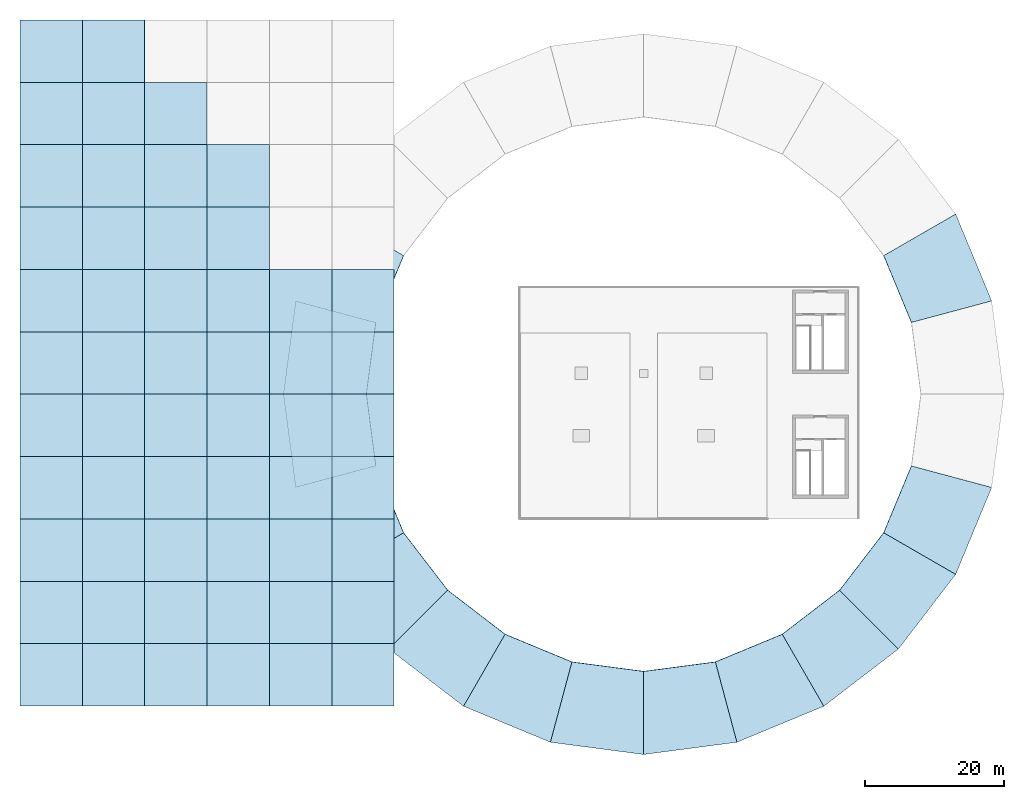
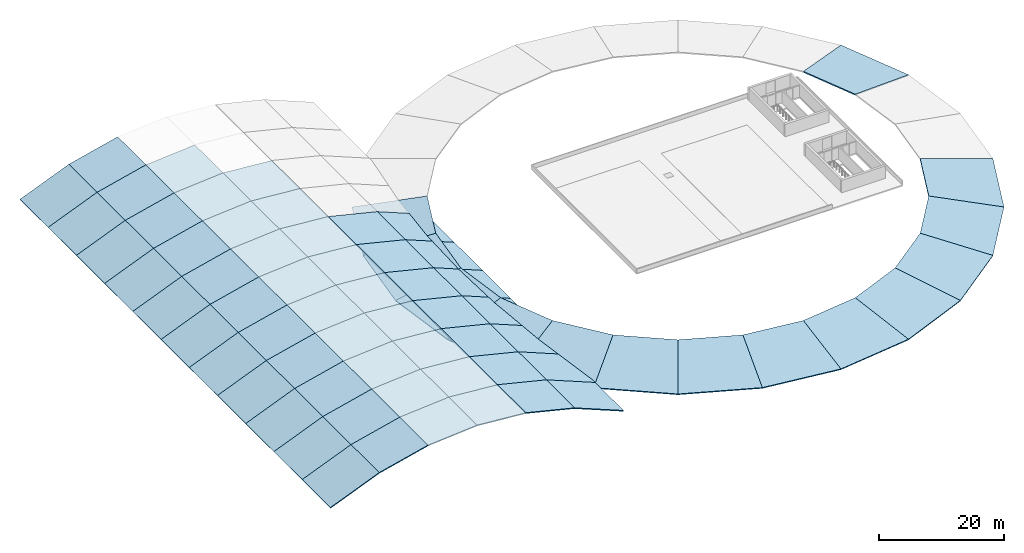
# One storey, part 2 of 4: 69 roofs.
"""IFC4 building model written with IfcOpenShell, lengths in metres."""

from ifc_helpers import new_model, si_unit, direction, frame, origin, place, context, subcontext, project, spatial, polyline, outline, extrude, material, layer, layer_set, type_object, element, save


model = new_model("IFC4")

# Units and contexts
model_context = context("Model", 3, precision=1e-05, world=origin(), true_north=direction((0.0, 1.0)))
body_context = subcontext(model_context, "Body", "Model", "MODEL_VIEW")
ifc_project = project(units=[si_unit("LENGTHUNIT", "METRE"), si_unit("AREAUNIT", "SQUARE_METRE"), si_unit("VOLUMEUNIT", "CUBIC_METRE"), si_unit("PLANEANGLEUNIT", "RADIAN"), si_unit("MASSUNIT", "GRAM", prefix="KILO")], contexts=[model_context])

# Site, building, storey
site_placement = place(None, origin())
site = spatial("IfcSite", under=ifc_project, at=site_placement, CompositionType="ELEMENT")
building_placement = place(site_placement, origin())
building = spatial("IfcBuilding", under=site, at=building_placement, Name="Dornveld Trade and Exhibition Forum", CompositionType="ELEMENT")
storey_placement = place(building_placement, frame((0.0, 0.0, 26.39990234375)))
storey = spatial("IfcBuildingStorey", under=building, at=storey_placement, Name="RF", CompositionType="ELEMENT", Elevation=26.39990234375)

# Roofs
ifc_material_1 = material(Name="Steel S355J2", Category="steel")
ifc_layer_1 = layer(ifc_material_1, 0.179931640625)
ifc_layer_set_1 = layer_set([ifc_layer_1], Name="Steel S355J2")
roof_type_1 = type_object("IfcRoofType", Name="RF-ARCH-HALL3", PredefinedType="BARREL_ROOF", material=ifc_layer_set_1)
roof_1_placement = place(storey_placement, frame((27.0, 36.0, -4.079833984375), z_axis=(-0.377304069177, 0.0, 0.926089433793), x_axis=(0.926089433793, 0.0, 0.377304069177)))
element("IfcRoof", 1, at=roof_1_placement, inside=storey, type_object=roof_type_1, Name="H3 arched roof bay 1 facet 1", PredefinedType="BARREL_ROOF", context=body_context, shape_type="SweptSolid", body=[
    extrude(outline(polyline([(0.0, 0.0), (9.718283862867025, 0.0), (9.718283862867025, 9.0), (0.0, 9.0), (0.0, 0.0)])), origin(), (0.0, 0.0, -1.0), 0.179931640625),
])
roof_2_placement = place(storey_placement, frame((36.0, 36.0, -0.4130859375), z_axis=(-0.237448117444, 0.0, 0.971400222114), x_axis=(0.971400222114, 0.0, 0.237448117444)))
element("IfcRoof", 2, at=roof_2_placement, inside=storey, type_object=roof_type_1, Name="H3 arched roof bay 1 facet 2", PredefinedType="BARREL_ROOF", context=body_context, shape_type="SweptSolid", body=[
    extrude(outline(polyline([(0.0, 0.0), (9.264976263252604, 0.0), (9.264976263252604, 9.0), (0.0, 9.0), (0.0, 0.0)])), origin(), (0.0, 0.0, -1.0), 0.179931640625),
])
for number, where, z_axis, x_axis, name in (
    (3, (45.0, 36.0, 1.786865234375), (-0.081192637213, 0.0, 0.996698427641), (0.996698427641, 0.0, 0.081192637213), "H3 arched roof bay 1 facet 3"),
    (4, (54.0, 36.0, 2.52001953125), (0.081192637213, 0.0, 0.996698427641), (0.996698427641, 0.0, -0.081192637213), "H3 arched roof bay 1 facet 4"),
):
    element("IfcRoof", number, at=place(storey_placement, frame(where, z_axis=z_axis, x_axis=x_axis)), inside=storey, type_object=roof_type_1, Name=name, PredefinedType="BARREL_ROOF", context=body_context, shape_type="SweptSolid", body=[
        extrude(outline(polyline([(0.0, 0.0), (9.029812579617934, 0.0), (9.029812579617934, 9.0), (0.0, 9.0), (0.0, 0.0)])), origin(), (0.0, 0.0, -1.0), 0.179931640625),
    ])
roof_3_placement = place(storey_placement, frame((63.0, 36.0, 1.786865234375), z_axis=(0.237448117444, 0.0, 0.971400222114), x_axis=(0.971400222114, 0.0, -0.237448117444)))
element("IfcRoof", 5, at=roof_3_placement, inside=storey, type_object=roof_type_1, Name="H3 arched roof bay 1 facet 5", PredefinedType="BARREL_ROOF", context=body_context, shape_type="SweptSolid", body=[
    extrude(outline(polyline([(0.0, 0.0), (9.264976263252604, 0.0), (9.264976263252604, 9.0), (0.0, 9.0), (0.0, 0.0)])), origin(), (0.0, 0.0, -1.0), 0.179931640625),
])
for number, where, z_axis, x_axis, name in (
    (6, (72.0, 36.0, -0.4130859375), (0.377304069177, 0.0, 0.926089433793), (0.926089433793, 0.0, -0.377304069177), "H3 arched roof bay 1 facet 6"),
    (7, (27.0, 45.0, -4.079833984375), (-0.377304069177, 0.0, 0.926089433793), (0.926089433793, 0.0, 0.377304069177), "H3 arched roof bay 2 facet 1"),
):
    element("IfcRoof", number, at=place(storey_placement, frame(where, z_axis=z_axis, x_axis=x_axis)), inside=storey, type_object=roof_type_1, Name=name, PredefinedType="BARREL_ROOF", context=body_context, shape_type="SweptSolid", body=[
        extrude(outline(polyline([(0.0, 0.0), (9.718283862867025, 0.0), (9.718283862867025, 9.0), (0.0, 9.0), (0.0, 0.0)])), origin(), (0.0, 0.0, -1.0), 0.179931640625),
    ])
roof_4_placement = place(storey_placement, frame((36.0, 45.0, -0.4130859375), z_axis=(-0.237448117444, 0.0, 0.971400222114), x_axis=(0.971400222114, 0.0, 0.237448117444)))
element("IfcRoof", 8, at=roof_4_placement, inside=storey, type_object=roof_type_1, Name="H3 arched roof bay 2 facet 2", PredefinedType="BARREL_ROOF", context=body_context, shape_type="SweptSolid", body=[
    extrude(outline(polyline([(0.0, 0.0), (9.264976263252604, 0.0), (9.264976263252604, 9.0), (0.0, 9.0), (0.0, 0.0)])), origin(), (0.0, 0.0, -1.0), 0.179931640625),
])
for number, where, z_axis, x_axis, name in (
    (9, (45.0, 45.0, 1.786865234375), (-0.081192637213, 0.0, 0.996698427641), (0.996698427641, 0.0, 0.081192637213), "H3 arched roof bay 2 facet 3"),
    (10, (54.0, 45.0, 2.52001953125), (0.081192637213, 0.0, 0.996698427641), (0.996698427641, 0.0, -0.081192637213), "H3 arched roof bay 2 facet 4"),
):
    element("IfcRoof", number, at=place(storey_placement, frame(where, z_axis=z_axis, x_axis=x_axis)), inside=storey, type_object=roof_type_1, Name=name, PredefinedType="BARREL_ROOF", context=body_context, shape_type="SweptSolid", body=[
        extrude(outline(polyline([(0.0, 0.0), (9.029812579617934, 0.0), (9.029812579617934, 9.0), (0.0, 9.0), (0.0, 0.0)])), origin(), (0.0, 0.0, -1.0), 0.179931640625),
    ])
roof_5_placement = place(storey_placement, frame((63.0, 45.0, 1.786865234375), z_axis=(0.237448117444, 0.0, 0.971400222114), x_axis=(0.971400222114, 0.0, -0.237448117444)))
element("IfcRoof", 11, at=roof_5_placement, inside=storey, type_object=roof_type_1, Name="H3 arched roof bay 2 facet 5", PredefinedType="BARREL_ROOF", context=body_context, shape_type="SweptSolid", body=[
    extrude(outline(polyline([(0.0, 0.0), (9.264976263252604, 0.0), (9.264976263252604, 9.0), (0.0, 9.0), (0.0, 0.0)])), origin(), (0.0, 0.0, -1.0), 0.179931640625),
])
for number, where, z_axis, x_axis, name in (
    (12, (72.0, 45.0, -0.4130859375), (0.377304069177, 0.0, 0.926089433793), (0.926089433793, 0.0, -0.377304069177), "H3 arched roof bay 2 facet 6"),
    (13, (27.0, 54.0, -4.079833984375), (-0.377304069177, 0.0, 0.926089433793), (0.926089433793, 0.0, 0.377304069177), "H3 arched roof bay 3 facet 1"),
):
    element("IfcRoof", number, at=place(storey_placement, frame(where, z_axis=z_axis, x_axis=x_axis)), inside=storey, type_object=roof_type_1, Name=name, PredefinedType="BARREL_ROOF", context=body_context, shape_type="SweptSolid", body=[
        extrude(outline(polyline([(0.0, 0.0), (9.718283862867025, 0.0), (9.718283862867025, 9.0), (0.0, 9.0), (0.0, 0.0)])), origin(), (0.0, 0.0, -1.0), 0.179931640625),
    ])
roof_6_placement = place(storey_placement, frame((36.0, 54.0, -0.4130859375), z_axis=(-0.237448117444, 0.0, 0.971400222114), x_axis=(0.971400222114, 0.0, 0.237448117444)))
element("IfcRoof", 14, at=roof_6_placement, inside=storey, type_object=roof_type_1, Name="H3 arched roof bay 3 facet 2", PredefinedType="BARREL_ROOF", context=body_context, shape_type="SweptSolid", body=[
    extrude(outline(polyline([(0.0, 0.0), (9.264976263252604, 0.0), (9.264976263252604, 9.0), (0.0, 9.0), (0.0, 0.0)])), origin(), (0.0, 0.0, -1.0), 0.179931640625),
])
for number, where, z_axis, x_axis, name in (
    (15, (45.0, 54.0, 1.786865234375), (-0.081192637213, 0.0, 0.996698427641), (0.996698427641, 0.0, 0.081192637213), "H3 arched roof bay 3 facet 3"),
    (16, (54.0, 54.0, 2.52001953125), (0.081192637213, 0.0, 0.996698427641), (0.996698427641, 0.0, -0.081192637213), "H3 arched roof bay 3 facet 4"),
):
    element("IfcRoof", number, at=place(storey_placement, frame(where, z_axis=z_axis, x_axis=x_axis)), inside=storey, type_object=roof_type_1, Name=name, PredefinedType="BARREL_ROOF", context=body_context, shape_type="SweptSolid", body=[
        extrude(outline(polyline([(0.0, 0.0), (9.029812579617934, 0.0), (9.029812579617934, 9.0), (0.0, 9.0), (0.0, 0.0)])), origin(), (0.0, 0.0, -1.0), 0.179931640625),
    ])
roof_7_placement = place(storey_placement, frame((63.0, 54.0, 1.786865234375), z_axis=(0.237448117444, 0.0, 0.971400222114), x_axis=(0.971400222114, 0.0, -0.237448117444)))
element("IfcRoof", 17, at=roof_7_placement, inside=storey, type_object=roof_type_1, Name="H3 arched roof bay 3 facet 5", PredefinedType="BARREL_ROOF", context=body_context, shape_type="SweptSolid", body=[
    extrude(outline(polyline([(0.0, 0.0), (9.264976263252604, 0.0), (9.264976263252604, 9.0), (0.0, 9.0), (0.0, 0.0)])), origin(), (0.0, 0.0, -1.0), 0.179931640625),
])
for number, where, z_axis, x_axis, name in (
    (18, (72.0, 54.0, -0.4130859375), (0.377304069177, 0.0, 0.926089433793), (0.926089433793, 0.0, -0.377304069177), "H3 arched roof bay 3 facet 6"),
    (19, (27.0, 63.0, -4.079833984375), (-0.377304069177, 0.0, 0.926089433793), (0.926089433793, 0.0, 0.377304069177), "H3 arched roof bay 4 facet 1"),
):
    element("IfcRoof", number, at=place(storey_placement, frame(where, z_axis=z_axis, x_axis=x_axis)), inside=storey, type_object=roof_type_1, Name=name, PredefinedType="BARREL_ROOF", context=body_context, shape_type="SweptSolid", body=[
        extrude(outline(polyline([(0.0, 0.0), (9.718283862867025, 0.0), (9.718283862867025, 9.0), (0.0, 9.0), (0.0, 0.0)])), origin(), (0.0, 0.0, -1.0), 0.179931640625),
    ])
roof_8_placement = place(storey_placement, frame((36.0, 63.0, -0.4130859375), z_axis=(-0.237448117444, 0.0, 0.971400222114), x_axis=(0.971400222114, 0.0, 0.237448117444)))
element("IfcRoof", 20, at=roof_8_placement, inside=storey, type_object=roof_type_1, Name="H3 arched roof bay 4 facet 2", PredefinedType="BARREL_ROOF", context=body_context, shape_type="SweptSolid", body=[
    extrude(outline(polyline([(0.0, 0.0), (9.264976263252604, 0.0), (9.264976263252604, 9.0), (0.0, 9.0), (0.0, 0.0)])), origin(), (0.0, 0.0, -1.0), 0.179931640625),
])
for number, where, z_axis, x_axis, name in (
    (21, (45.0, 63.0, 1.786865234375), (-0.081192637213, 0.0, 0.996698427641), (0.996698427641, 0.0, 0.081192637213), "H3 arched roof bay 4 facet 3"),
    (22, (54.0, 63.0, 2.52001953125), (0.081192637213, 0.0, 0.996698427641), (0.996698427641, 0.0, -0.081192637213), "H3 arched roof bay 4 facet 4"),
):
    element("IfcRoof", number, at=place(storey_placement, frame(where, z_axis=z_axis, x_axis=x_axis)), inside=storey, type_object=roof_type_1, Name=name, PredefinedType="BARREL_ROOF", context=body_context, shape_type="SweptSolid", body=[
        extrude(outline(polyline([(0.0, 0.0), (9.029812579617934, 0.0), (9.029812579617934, 9.0), (0.0, 9.0), (0.0, 0.0)])), origin(), (0.0, 0.0, -1.0), 0.179931640625),
    ])
roof_9_placement = place(storey_placement, frame((63.0, 63.0, 1.786865234375), z_axis=(0.237448117444, 0.0, 0.971400222114), x_axis=(0.971400222114, 0.0, -0.237448117444)))
element("IfcRoof", 23, at=roof_9_placement, inside=storey, type_object=roof_type_1, Name="H3 arched roof bay 4 facet 5", PredefinedType="BARREL_ROOF", context=body_context, shape_type="SweptSolid", body=[
    extrude(outline(polyline([(0.0, 0.0), (9.264976263252604, 0.0), (9.264976263252604, 9.0), (0.0, 9.0), (0.0, 0.0)])), origin(), (0.0, 0.0, -1.0), 0.179931640625),
])
for number, where, z_axis, x_axis, name in (
    (24, (72.0, 63.0, -0.4130859375), (0.377304069177, 0.0, 0.926089433793), (0.926089433793, 0.0, -0.377304069177), "H3 arched roof bay 4 facet 6"),
    (25, (27.0, 72.0, -4.079833984375), (-0.377304069177, 0.0, 0.926089433793), (0.926089433793, 0.0, 0.377304069177), "H3 arched roof bay 5 facet 1"),
):
    element("IfcRoof", number, at=place(storey_placement, frame(where, z_axis=z_axis, x_axis=x_axis)), inside=storey, type_object=roof_type_1, Name=name, PredefinedType="BARREL_ROOF", context=body_context, shape_type="SweptSolid", body=[
        extrude(outline(polyline([(0.0, 0.0), (9.718283862867025, 0.0), (9.718283862867025, 9.0), (0.0, 9.0), (0.0, 0.0)])), origin(), (0.0, 0.0, -1.0), 0.179931640625),
    ])
roof_10_placement = place(storey_placement, frame((36.0, 72.0, -0.4130859375), z_axis=(-0.237448117444, 0.0, 0.971400222114), x_axis=(0.971400222114, 0.0, 0.237448117444)))
element("IfcRoof", 26, at=roof_10_placement, inside=storey, type_object=roof_type_1, Name="H3 arched roof bay 5 facet 2", PredefinedType="BARREL_ROOF", context=body_context, shape_type="SweptSolid", body=[
    extrude(outline(polyline([(0.0, 0.0), (9.264976263252604, 0.0), (9.264976263252604, 9.0), (0.0, 9.0), (0.0, 0.0)])), origin(), (0.0, 0.0, -1.0), 0.179931640625),
])
for number, where, z_axis, x_axis, name in (
    (27, (45.0, 72.0, 1.786865234375), (-0.081192637213, 0.0, 0.996698427641), (0.996698427641, 0.0, 0.081192637213), "H3 arched roof bay 5 facet 3"),
    (28, (54.0, 72.0, 2.52001953125), (0.081192637213, 0.0, 0.996698427641), (0.996698427641, 0.0, -0.081192637213), "H3 arched roof bay 5 facet 4"),
):
    element("IfcRoof", number, at=place(storey_placement, frame(where, z_axis=z_axis, x_axis=x_axis)), inside=storey, type_object=roof_type_1, Name=name, PredefinedType="BARREL_ROOF", context=body_context, shape_type="SweptSolid", body=[
        extrude(outline(polyline([(0.0, 0.0), (9.029812579617934, 0.0), (9.029812579617934, 9.0), (0.0, 9.0), (0.0, 0.0)])), origin(), (0.0, 0.0, -1.0), 0.179931640625),
    ])
roof_11_placement = place(storey_placement, frame((63.0, 72.0, 1.786865234375), z_axis=(0.237448117444, 0.0, 0.971400222114), x_axis=(0.971400222114, 0.0, -0.237448117444)))
element("IfcRoof", 29, at=roof_11_placement, inside=storey, type_object=roof_type_1, Name="H3 arched roof bay 5 facet 5", PredefinedType="BARREL_ROOF", context=body_context, shape_type="SweptSolid", body=[
    extrude(outline(polyline([(0.0, 0.0), (9.264976263252604, 0.0), (9.264976263252604, 9.0), (0.0, 9.0), (0.0, 0.0)])), origin(), (0.0, 0.0, -1.0), 0.179931640625),
])
for number, where, z_axis, x_axis, name in (
    (30, (72.0, 72.0, -0.4130859375), (0.377304069177, 0.0, 0.926089433793), (0.926089433793, 0.0, -0.377304069177), "H3 arched roof bay 5 facet 6"),
    (31, (27.0, 81.0, -4.079833984375), (-0.377304069177, 0.0, 0.926089433793), (0.926089433793, 0.0, 0.377304069177), "H3 arched roof bay 6 facet 1"),
):
    element("IfcRoof", number, at=place(storey_placement, frame(where, z_axis=z_axis, x_axis=x_axis)), inside=storey, type_object=roof_type_1, Name=name, PredefinedType="BARREL_ROOF", context=body_context, shape_type="SweptSolid", body=[
        extrude(outline(polyline([(0.0, 0.0), (9.718283862867025, 0.0), (9.718283862867025, 9.0), (0.0, 9.0), (0.0, 0.0)])), origin(), (0.0, 0.0, -1.0), 0.179931640625),
    ])
roof_12_placement = place(storey_placement, frame((36.0, 81.0, -0.4130859375), z_axis=(-0.237448117444, 0.0, 0.971400222114), x_axis=(0.971400222114, 0.0, 0.237448117444)))
element("IfcRoof", 32, at=roof_12_placement, inside=storey, type_object=roof_type_1, Name="H3 arched roof bay 6 facet 2", PredefinedType="BARREL_ROOF", context=body_context, shape_type="SweptSolid", body=[
    extrude(outline(polyline([(0.0, 0.0), (9.264976263252604, 0.0), (9.264976263252604, 9.0), (0.0, 9.0), (0.0, 0.0)])), origin(), (0.0, 0.0, -1.0), 0.179931640625),
])
for number, where, z_axis, x_axis, name in (
    (33, (45.0, 81.0, 1.786865234375), (-0.081192637213, 0.0, 0.996698427641), (0.996698427641, 0.0, 0.081192637213), "H3 arched roof bay 6 facet 3"),
    (34, (54.0, 81.0, 2.52001953125), (0.081192637213, 0.0, 0.996698427641), (0.996698427641, 0.0, -0.081192637213), "H3 arched roof bay 6 facet 4"),
):
    element("IfcRoof", number, at=place(storey_placement, frame(where, z_axis=z_axis, x_axis=x_axis)), inside=storey, type_object=roof_type_1, Name=name, PredefinedType="BARREL_ROOF", context=body_context, shape_type="SweptSolid", body=[
        extrude(outline(polyline([(0.0, 0.0), (9.029812579617934, 0.0), (9.029812579617934, 9.0), (0.0, 9.0), (0.0, 0.0)])), origin(), (0.0, 0.0, -1.0), 0.179931640625),
    ])
roof_13_placement = place(storey_placement, frame((63.0, 81.0, 1.786865234375), z_axis=(0.237448117444, 0.0, 0.971400222114), x_axis=(0.971400222114, 0.0, -0.237448117444)))
element("IfcRoof", 35, at=roof_13_placement, inside=storey, type_object=roof_type_1, Name="H3 arched roof bay 6 facet 5", PredefinedType="BARREL_ROOF", context=body_context, shape_type="SweptSolid", body=[
    extrude(outline(polyline([(0.0, 0.0), (9.264976263252604, 0.0), (9.264976263252604, 9.0), (0.0, 9.0), (0.0, 0.0)])), origin(), (0.0, 0.0, -1.0), 0.179931640625),
])
for number, where, z_axis, x_axis, name in (
    (36, (72.0, 81.0, -0.4130859375), (0.377304069177, 0.0, 0.926089433793), (0.926089433793, 0.0, -0.377304069177), "H3 arched roof bay 6 facet 6"),
    (37, (27.0, 90.0, -4.079833984375), (-0.377304069177, 0.0, 0.926089433793), (0.926089433793, 0.0, 0.377304069177), "H3 arched roof bay 7 facet 1"),
):
    element("IfcRoof", number, at=place(storey_placement, frame(where, z_axis=z_axis, x_axis=x_axis)), inside=storey, type_object=roof_type_1, Name=name, PredefinedType="BARREL_ROOF", context=body_context, shape_type="SweptSolid", body=[
        extrude(outline(polyline([(0.0, 0.0), (9.718283862867025, 0.0), (9.718283862867025, 9.0), (0.0, 9.0), (0.0, 0.0)])), origin(), (0.0, 0.0, -1.0), 0.179931640625),
    ])
roof_14_placement = place(storey_placement, frame((36.0, 90.0, -0.4130859375), z_axis=(-0.237448117444, 0.0, 0.971400222114), x_axis=(0.971400222114, 0.0, 0.237448117444)))
element("IfcRoof", 38, at=roof_14_placement, inside=storey, type_object=roof_type_1, Name="H3 arched roof bay 7 facet 2", PredefinedType="BARREL_ROOF", context=body_context, shape_type="SweptSolid", body=[
    extrude(outline(polyline([(0.0, 0.0), (9.264976263252604, 0.0), (9.264976263252604, 9.0), (0.0, 9.0), (0.0, 0.0)])), origin(), (0.0, 0.0, -1.0), 0.179931640625),
])
for number, where, z_axis, x_axis, name in (
    (39, (45.0, 90.0, 1.786865234375), (-0.081192637213, 0.0, 0.996698427641), (0.996698427641, 0.0, 0.081192637213), "H3 arched roof bay 7 facet 3"),
    (40, (54.0, 90.0, 2.52001953125), (0.081192637213, 0.0, 0.996698427641), (0.996698427641, 0.0, -0.081192637213), "H3 arched roof bay 7 facet 4"),
):
    element("IfcRoof", number, at=place(storey_placement, frame(where, z_axis=z_axis, x_axis=x_axis)), inside=storey, type_object=roof_type_1, Name=name, PredefinedType="BARREL_ROOF", context=body_context, shape_type="SweptSolid", body=[
        extrude(outline(polyline([(0.0, 0.0), (9.029812579617934, 0.0), (9.029812579617934, 9.0), (0.0, 9.0), (0.0, 0.0)])), origin(), (0.0, 0.0, -1.0), 0.179931640625),
    ])
roof_15_placement = place(storey_placement, frame((63.0, 90.0, 1.786865234375), z_axis=(0.237448117444, 0.0, 0.971400222114), x_axis=(0.971400222114, 0.0, -0.237448117444)))
element("IfcRoof", 41, at=roof_15_placement, inside=storey, type_object=roof_type_1, Name="H3 arched roof bay 7 facet 5", PredefinedType="BARREL_ROOF", context=body_context, shape_type="SweptSolid", body=[
    extrude(outline(polyline([(0.0, 0.0), (9.264976263252604, 0.0), (9.264976263252604, 9.0), (0.0, 9.0), (0.0, 0.0)])), origin(), (0.0, 0.0, -1.0), 0.179931640625),
])
for number, where, z_axis, x_axis, name in (
    (42, (72.0, 90.0, -0.4130859375), (0.377304069177, 0.0, 0.926089433793), (0.926089433793, 0.0, -0.377304069177), "H3 arched roof bay 7 facet 6"),
    (43, (27.0, 99.0, -4.079833984375), (-0.377304069177, 0.0, 0.926089433793), (0.926089433793, 0.0, 0.377304069177), "H3 arched roof bay 8 facet 1"),
):
    element("IfcRoof", number, at=place(storey_placement, frame(where, z_axis=z_axis, x_axis=x_axis)), inside=storey, type_object=roof_type_1, Name=name, PredefinedType="BARREL_ROOF", context=body_context, shape_type="SweptSolid", body=[
        extrude(outline(polyline([(0.0, 0.0), (9.718283862867025, 0.0), (9.718283862867025, 9.0), (0.0, 9.0), (0.0, 0.0)])), origin(), (0.0, 0.0, -1.0), 0.179931640625),
    ])
roof_16_placement = place(storey_placement, frame((36.0, 99.0, -0.4130859375), z_axis=(-0.237448117444, 0.0, 0.971400222114), x_axis=(0.971400222114, 0.0, 0.237448117444)))
element("IfcRoof", 44, at=roof_16_placement, inside=storey, type_object=roof_type_1, Name="H3 arched roof bay 8 facet 2", PredefinedType="BARREL_ROOF", context=body_context, shape_type="SweptSolid", body=[
    extrude(outline(polyline([(0.0, 0.0), (9.264976263252604, 0.0), (9.264976263252604, 9.0), (0.0, 9.0), (0.0, 0.0)])), origin(), (0.0, 0.0, -1.0), 0.179931640625),
])
for number, where, z_axis, x_axis, name in (
    (45, (45.0, 99.0, 1.786865234375), (-0.081192637213, 0.0, 0.996698427641), (0.996698427641, 0.0, 0.081192637213), "H3 arched roof bay 8 facet 3"),
    (46, (54.0, 99.0, 2.52001953125), (0.081192637213, 0.0, 0.996698427641), (0.996698427641, 0.0, -0.081192637213), "H3 arched roof bay 8 facet 4"),
):
    element("IfcRoof", number, at=place(storey_placement, frame(where, z_axis=z_axis, x_axis=x_axis)), inside=storey, type_object=roof_type_1, Name=name, PredefinedType="BARREL_ROOF", context=body_context, shape_type="SweptSolid", body=[
        extrude(outline(polyline([(0.0, 0.0), (9.029812579617934, 0.0), (9.029812579617934, 9.0), (0.0, 9.0), (0.0, 0.0)])), origin(), (0.0, 0.0, -1.0), 0.179931640625),
    ])
roof_17_placement = place(storey_placement, frame((27.0, 108.0, -4.079833984375), z_axis=(-0.377304069177, 0.0, 0.926089433793), x_axis=(0.926089433793, 0.0, 0.377304069177)))
element("IfcRoof", 47, at=roof_17_placement, inside=storey, type_object=roof_type_1, Name="H3 arched roof bay 9 facet 1", PredefinedType="BARREL_ROOF", context=body_context, shape_type="SweptSolid", body=[
    extrude(outline(polyline([(0.0, 0.0), (9.718283862867025, 0.0), (9.718283862867025, 9.0), (0.0, 9.0), (0.0, 0.0)])), origin(), (0.0, 0.0, -1.0), 0.179931640625),
])
roof_18_placement = place(storey_placement, frame((36.0, 108.0, -0.4130859375), z_axis=(-0.237448117444, 0.0, 0.971400222114), x_axis=(0.971400222114, 0.0, 0.237448117444)))
element("IfcRoof", 48, at=roof_18_placement, inside=storey, type_object=roof_type_1, Name="H3 arched roof bay 9 facet 2", PredefinedType="BARREL_ROOF", context=body_context, shape_type="SweptSolid", body=[
    extrude(outline(polyline([(0.0, 0.0), (9.264976263252604, 0.0), (9.264976263252604, 9.0), (0.0, 9.0), (0.0, 0.0)])), origin(), (0.0, 0.0, -1.0), 0.179931640625),
])
for number, where, z_axis, x_axis, name in (
    (49, (45.0, 108.0, 1.786865234375), (-0.081192637213, 0.0, 0.996698427641), (0.996698427641, 0.0, 0.081192637213), "H3 arched roof bay 9 facet 3"),
    (50, (54.0, 108.0, 2.52001953125), (0.081192637213, 0.0, 0.996698427641), (0.996698427641, 0.0, -0.081192637213), "H3 arched roof bay 9 facet 4"),
):
    element("IfcRoof", number, at=place(storey_placement, frame(where, z_axis=z_axis, x_axis=x_axis)), inside=storey, type_object=roof_type_1, Name=name, PredefinedType="BARREL_ROOF", context=body_context, shape_type="SweptSolid", body=[
        extrude(outline(polyline([(0.0, 0.0), (9.029812579617934, 0.0), (9.029812579617934, 9.0), (0.0, 9.0), (0.0, 0.0)])), origin(), (0.0, 0.0, -1.0), 0.179931640625),
    ])
roof_19_placement = place(storey_placement, frame((27.0, 117.0, -4.079833984375), z_axis=(-0.377304069177, 0.0, 0.926089433793), x_axis=(0.926089433793, 0.0, 0.377304069177)))
element("IfcRoof", 51, at=roof_19_placement, inside=storey, type_object=roof_type_1, Name="H3 arched roof bay 10 facet 1", PredefinedType="BARREL_ROOF", context=body_context, shape_type="SweptSolid", body=[
    extrude(outline(polyline([(0.0, 0.0), (9.718283862867025, 0.0), (9.718283862867025, 9.0), (0.0, 9.0), (0.0, 0.0)])), origin(), (0.0, 0.0, -1.0), 0.179931640625),
])
roof_20_placement = place(storey_placement, frame((36.0, 117.0, -0.4130859375), z_axis=(-0.237448117444, 0.0, 0.971400222114), x_axis=(0.971400222114, 0.0, 0.237448117444)))
element("IfcRoof", 52, at=roof_20_placement, inside=storey, type_object=roof_type_1, Name="H3 arched roof bay 10 facet 2", PredefinedType="BARREL_ROOF", context=body_context, shape_type="SweptSolid", body=[
    extrude(outline(polyline([(0.0, 0.0), (9.264976263252604, 0.0), (9.264976263252604, 9.0), (0.0, 9.0), (0.0, 0.0)])), origin(), (0.0, 0.0, -1.0), 0.179931640625),
])
roof_21_placement = place(storey_placement, frame((45.0, 117.0, 1.786865234375), z_axis=(-0.081192637213, 0.0, 0.996698427641), x_axis=(0.996698427641, 0.0, 0.081192637213)))
element("IfcRoof", 53, at=roof_21_placement, inside=storey, type_object=roof_type_1, Name="H3 arched roof bay 10 facet 3", PredefinedType="BARREL_ROOF", context=body_context, shape_type="SweptSolid", body=[
    extrude(outline(polyline([(0.0, 0.0), (9.029812579617934, 0.0), (9.029812579617934, 9.0), (0.0, 9.0), (0.0, 0.0)])), origin(), (0.0, 0.0, -1.0), 0.179931640625),
])
roof_22_placement = place(storey_placement, frame((27.0, 126.0, -4.079833984375), z_axis=(-0.377304069177, 0.0, 0.926089433793), x_axis=(0.926089433793, 0.0, 0.377304069177)))
element("IfcRoof", 54, at=roof_22_placement, inside=storey, type_object=roof_type_1, Name="H3 arched roof bay 11 facet 1", PredefinedType="BARREL_ROOF", context=body_context, shape_type="SweptSolid", body=[
    extrude(outline(polyline([(0.0, 0.0), (9.718283862867025, 0.0), (9.718283862867025, 9.0), (0.0, 9.0), (0.0, 0.0)])), origin(), (0.0, 0.0, -1.0), 0.179931640625),
])
roof_23_placement = place(storey_placement, frame((36.0, 126.0, -0.4130859375), z_axis=(-0.237448117444, 0.0, 0.971400222114), x_axis=(0.971400222114, 0.0, 0.237448117444)))
element("IfcRoof", 55, at=roof_23_placement, inside=storey, type_object=roof_type_1, Name="H3 arched roof bay 11 facet 2", PredefinedType="BARREL_ROOF", context=body_context, shape_type="SweptSolid", body=[
    extrude(outline(polyline([(0.0, 0.0), (9.264976263252604, 0.0), (9.264976263252604, 9.0), (0.0, 9.0), (0.0, 0.0)])), origin(), (0.0, 0.0, -1.0), 0.179931640625),
])
ifc_material_2 = material(Name="Steel S355J2", Category="steel")
ifc_layer_2 = layer(ifc_material_2, 0.199951171875)
ifc_layer_set_2 = layer_set([ifc_layer_2], Name="Steel S355J2")
roof_type_2 = type_object("IfcRoofType", Name="RF-DISC-BRIM", PredefinedType="PAVILION_ROOF", material=ifc_layer_set_2)
roof_24_placement = place(storey_placement, frame((155.636962890625, 91.352783203125, -2.199951171875), z_axis=(0.164290788663, 0.068050027389, 0.984061853002), x_axis=(0.950789042886, 0.254754645065, -0.176352677174)))
element("IfcRoof", 56, at=roof_24_placement, inside=storey, type_object=roof_type_2, Name="Floating roof disc brim sector 2", PredefinedType="PAVILION_ROOF", context=body_context, shape_type="SweptSolid", body=[
    extrude(outline(polyline([(0.0, 0.0), (12.190992896520282, -3.400058012914542e-16), (10.4468173258295, 13.462294398528618), (-1.34153673466297, 10.355476097990534), (0.0, 0.0)])), origin(), (0.0, 0.0, -1.0), 0.199951171875),
])
roof_25_placement = place(storey_placement, frame((82.35888671875, 101.0, -2.199951171875), z_axis=(-0.164290788663, 0.068050027389, 0.984061853002), x_axis=(-0.852447884229, 0.492171171167, -0.17635232617)))
element("IfcRoof", 57, at=roof_25_placement, inside=storey, type_object=roof_type_2, Name="Floating roof disc brim sector 11", PredefinedType="PAVILION_ROOF", context=body_context, shape_type="SweptSolid", body=[
    extrude(outline(polyline([(0.0, 0.0), (12.190882306383228, 1.5265566588595902e-16), (10.44663255487167, 13.462284787449766), (-1.3418284442047708, 10.355438303269759), (0.0, 0.0)])), origin(), (0.0, 0.0, -1.0), 0.199951171875),
])
roof_26_placement = place(storey_placement, frame((78.363037109375, 91.352783203125, -2.199951171875), z_axis=(-0.17630338495, 0.02321222756, 0.984062146893), x_axis=(-0.950789250609, 0.254754718424, -0.176351451278)))
element("IfcRoof", 58, at=roof_26_placement, inside=storey, type_object=roof_type_2, Name="Floating roof disc brim sector 12", PredefinedType="PAVILION_ROOF", context=body_context, shape_type="SweptSolid", body=[
    extrude(outline(polyline([(0.0, 0.0), (12.190992896525875, 6.938893903907228e-18), (10.447150067689071, 13.462169824671154), (-1.3414593380408333, 10.355601240720594), (0.0, 0.0)])), origin(), (0.0, 0.0, -1.0), 0.199951171875),
])
roof_27_placement = place(storey_placement, frame((77.0, 81.0, -2.199951171875), z_axis=(-0.17630338495, -0.02321222756, 0.984062146893), x_axis=(-0.984327364134, 5.909e-09, -0.176350900811)))
element("IfcRoof", 59, at=roof_27_placement, inside=storey, type_object=roof_type_2, Name="Floating roof disc brim sector 13", PredefinedType="PAVILION_ROOF", context=body_context, shape_type="SweptSolid", body=[
    extrude(outline(polyline([(0.0, 0.0), (12.19106558458497, -6.938893903907228e-18), (10.44686433101471, 13.462123390721686), (-1.3416747862624565, 10.355573329388308), (0.0, 0.0)])), origin(), (0.0, 0.0, -1.0), 0.199951171875),
])
roof_28_placement = place(storey_placement, frame((78.363037109375, 70.647216796875, -2.199951171875), z_axis=(-0.164290788663, -0.068050027389, 0.984061853002), x_axis=(-0.950789042886, -0.254754645065, -0.176352677174)))
element("IfcRoof", 60, at=roof_28_placement, inside=storey, type_object=roof_type_2, Name="Floating roof disc brim sector 14", PredefinedType="PAVILION_ROOF", context=body_context, shape_type="SweptSolid", body=[
    extrude(outline(polyline([(0.0, 0.0), (12.190992896520282, -3.400058012914542e-16), (10.4468173258295, 13.462294398528618), (-1.34153673466297, 10.355476097990534), (0.0, 0.0)])), origin(), (0.0, 0.0, -1.0), 0.199951171875),
])
roof_29_placement = place(storey_placement, frame((82.35888671875, 61.0, -2.199951171875), z_axis=(-0.141077398756, -0.108253819664, 0.984062131213), x_axis=(-0.852448017194, -0.4921713307, -0.176351238213)))
element("IfcRoof", 61, at=roof_29_placement, inside=storey, type_object=roof_type_2, Name="Floating roof disc brim sector 15", PredefinedType="PAVILION_ROOF", context=body_context, shape_type="SweptSolid", body=[
    extrude(outline(polyline([(0.0, 0.0), (12.190882306362417, -8.187894806610529e-16), (10.446986128107852, 13.462165588091995), (-1.3417196968688119, 10.355579465414563), (0.0, 0.0)])), origin(), (0.0, 0.0, -1.0), 0.199951171875),
])
roof_30_placement = place(storey_placement, frame((88.7158203125, 52.7158203125, -2.199951171875), z_axis=(-0.108253819664, -0.141077398756, 0.984062131213), x_axis=(-0.696024537894, -0.696024469072, -0.176351300258)))
element("IfcRoof", 62, at=roof_30_placement, inside=storey, type_object=roof_type_2, Name="Floating roof disc brim sector 16", PredefinedType="PAVILION_ROOF", context=body_context, shape_type="SweptSolid", body=[
    extrude(outline(polyline([(0.0, 0.0), (12.19116329008232, -9.992007221626409e-16), (10.44702310784836, 13.462133977436714), (-1.341411009307099, 10.355619455811961), (0.0, 0.0)])), origin(), (0.0, 0.0, -1.0), 0.199951171875),
])
roof_31_placement = place(storey_placement, frame((97.0, 46.35888671875, -2.199951171875), z_axis=(-0.068050027389, -0.164290788663, 0.984061853002), x_axis=(-0.492171171167, -0.852447884229, -0.17635232617)))
element("IfcRoof", 63, at=roof_31_placement, inside=storey, type_object=roof_type_2, Name="Floating roof disc brim sector 17", PredefinedType="PAVILION_ROOF", context=body_context, shape_type="SweptSolid", body=[
    extrude(outline(polyline([(0.0, 0.0), (12.190882306383228, 1.5265566588595902e-16), (10.44663255487167, 13.462284787449766), (-1.3418284442047708, 10.355438303269759), (0.0, 0.0)])), origin(), (0.0, 0.0, -1.0), 0.199951171875),
])
roof_32_placement = place(storey_placement, frame((106.647216796875, 42.363037109375, -2.199951171875), z_axis=(-0.02321222756, -0.17630338495, 0.984062146893), x_axis=(-0.254754718424, -0.950789250609, -0.176351451278)))
element("IfcRoof", 64, at=roof_32_placement, inside=storey, type_object=roof_type_2, Name="Floating roof disc brim sector 18", PredefinedType="PAVILION_ROOF", context=body_context, shape_type="SweptSolid", body=[
    extrude(outline(polyline([(0.0, 0.0), (12.190992896525875, 6.938893903907228e-18), (10.447150067689071, 13.462169824671154), (-1.3414593380408333, 10.355601240720594), (0.0, 0.0)])), origin(), (0.0, 0.0, -1.0), 0.199951171875),
])
roof_33_placement = place(storey_placement, frame((117.0, 41.0, -2.199951171875), z_axis=(0.02321222756, -0.17630338495, 0.984062146893), x_axis=(-5.909e-09, -0.984327364134, -0.176350900811)))
element("IfcRoof", 65, at=roof_33_placement, inside=storey, type_object=roof_type_2, Name="Floating roof disc brim sector 19", PredefinedType="PAVILION_ROOF", context=body_context, shape_type="SweptSolid", body=[
    extrude(outline(polyline([(0.0, 0.0), (12.19106558458497, -6.938893903907228e-18), (10.44686433101471, 13.462123390721686), (-1.3416747862624565, 10.355573329388308), (0.0, 0.0)])), origin(), (0.0, 0.0, -1.0), 0.199951171875),
])
roof_34_placement = place(storey_placement, frame((127.352783203125, 42.363037109375, -2.199951171875), z_axis=(0.068050027389, -0.164290788663, 0.984061853002), x_axis=(0.254754645065, -0.950789042886, -0.176352677174)))
element("IfcRoof", 66, at=roof_34_placement, inside=storey, type_object=roof_type_2, Name="Floating roof disc brim sector 20", PredefinedType="PAVILION_ROOF", context=body_context, shape_type="SweptSolid", body=[
    extrude(outline(polyline([(0.0, 0.0), (12.190992896520282, -3.400058012914542e-16), (10.4468173258295, 13.462294398528618), (-1.34153673466297, 10.355476097990534), (0.0, 0.0)])), origin(), (0.0, 0.0, -1.0), 0.199951171875),
])
roof_35_placement = place(storey_placement, frame((137.0, 46.35888671875, -2.199951171875), z_axis=(0.108253819664, -0.141077398756, 0.984062131213), x_axis=(0.4921713307, -0.852448017194, -0.176351238213)))
element("IfcRoof", 67, at=roof_35_placement, inside=storey, type_object=roof_type_2, Name="Floating roof disc brim sector 21", PredefinedType="PAVILION_ROOF", context=body_context, shape_type="SweptSolid", body=[
    extrude(outline(polyline([(0.0, 0.0), (12.190882306362417, -8.187894806610529e-16), (10.446986128107852, 13.462165588091995), (-1.3417196968688119, 10.355579465414563), (0.0, 0.0)])), origin(), (0.0, 0.0, -1.0), 0.199951171875),
])
roof_36_placement = place(storey_placement, frame((145.2841796875, 52.7158203125, -2.199951171875), z_axis=(0.141077398756, -0.108253819664, 0.984062131213), x_axis=(0.696024469072, -0.696024537894, -0.176351300258)))
element("IfcRoof", 68, at=roof_36_placement, inside=storey, type_object=roof_type_2, Name="Floating roof disc brim sector 22", PredefinedType="PAVILION_ROOF", context=body_context, shape_type="SweptSolid", body=[
    extrude(outline(polyline([(0.0, 0.0), (12.19116329008232, -9.992007221626409e-16), (10.44702310784836, 13.462133977436714), (-1.341411009307099, 10.355619455811961), (0.0, 0.0)])), origin(), (0.0, 0.0, -1.0), 0.199951171875),
])
roof_37_placement = place(storey_placement, frame((151.64111328125, 61.0, -2.199951171875), z_axis=(0.164290788663, -0.068050027389, 0.984061853002), x_axis=(0.852447884229, -0.492171171167, -0.17635232617)))
element("IfcRoof", 69, at=roof_37_placement, inside=storey, type_object=roof_type_2, Name="Floating roof disc brim sector 23", PredefinedType="PAVILION_ROOF", context=body_context, shape_type="SweptSolid", body=[
    extrude(outline(polyline([(0.0, 0.0), (12.190882306383228, 1.5265566588595902e-16), (10.44663255487167, 13.462284787449766), (-1.3418284442047708, 10.355438303269759), (0.0, 0.0)])), origin(), (0.0, 0.0, -1.0), 0.199951171875),
])

save(model, "model.ifc")
